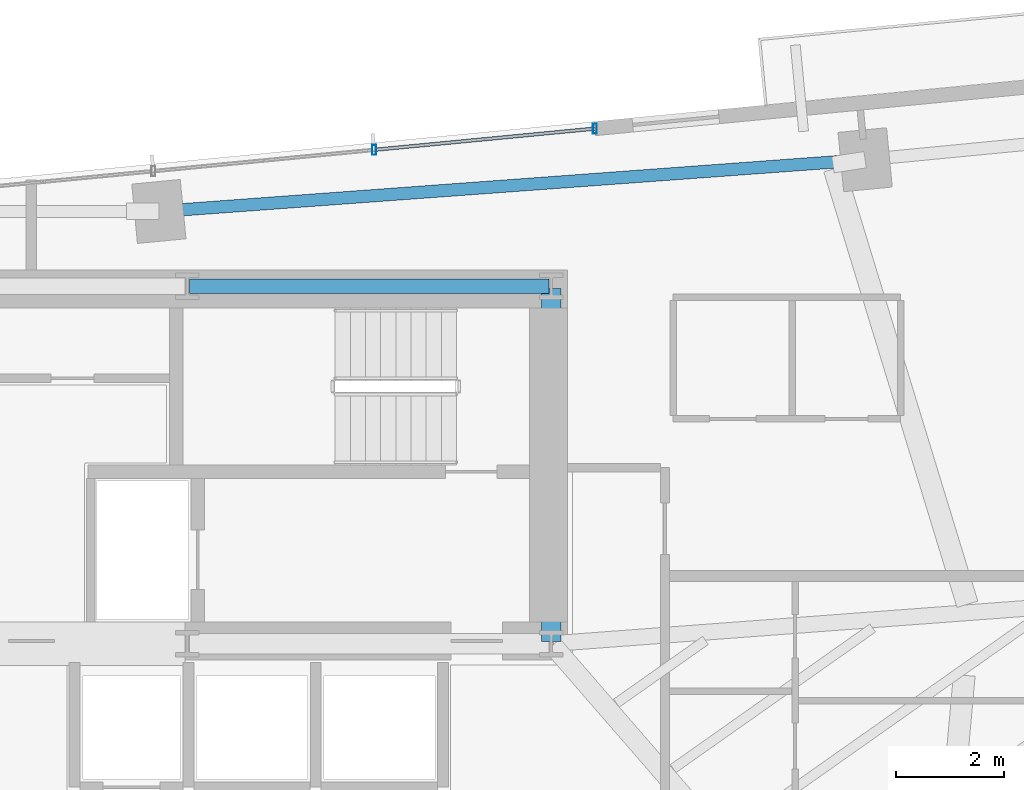
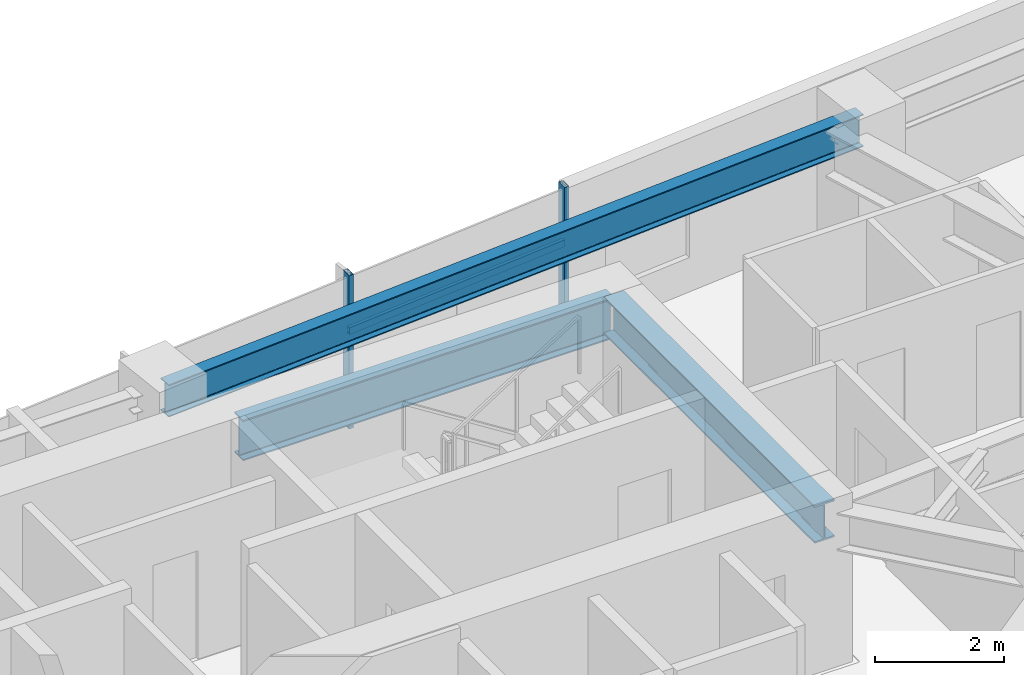
# One storey, part 17 of 27: 3 beams, 3 members, 1 element without a shape of its own.
"""IFC4 building model written with IfcOpenShell, lengths in metres."""

from ifc_helpers import new_model, si_unit, direction, frame, origin, origin_2d, place, context, subcontext, project, spatial, hollow_rectangle, i_section, extrude, source, transform, mapped, material, material_profile, profile_set, type_object, type_shapes, element, aggregate, save


model = new_model("IFC4")

# Units and contexts
model_context = context("Model", 3, precision=1e-05, world=origin(), true_north=direction((0.0, 1.0)))
body_context = subcontext(model_context, "Body", "Model", "MODEL_VIEW")
ifc_project = project(units=[si_unit("LENGTHUNIT", "METRE"), si_unit("AREAUNIT", "SQUARE_METRE"), si_unit("VOLUMEUNIT", "CUBIC_METRE"), si_unit("PLANEANGLEUNIT", "RADIAN"), si_unit("MASSUNIT", "GRAM", prefix="KILO")], contexts=[model_context])

# Site, building, storey
site_placement = place(None, origin())
site = spatial("IfcSite", under=ifc_project, at=site_placement, CompositionType="ELEMENT")
building_placement = place(site_placement, origin())
building = spatial("IfcBuilding", under=site, at=building_placement, Name="Astriad Promenade Condominiums", CompositionType="ELEMENT")
storey_placement = place(building_placement, frame((0.0, 0.0, 116.199951171875)))
storey = spatial("IfcBuildingStorey", under=building, at=storey_placement, Name="L33", CompositionType="ELEMENT", Elevation=116.199951171875)

# Beams
ifc_material_1 = material(Name="Steel ASTM A992 Grade 50", Category="steel")
ifc_material_profile_1 = material_profile(ifc_material_1, i_section(OverallWidth=0.267822265625, OverallDepth=0.76953125, WebThickness=0.015625, FlangeThickness=0.025390625, FilletRadius=0.021484375, at=origin_2d()), Name="W30X132")
ifc_profile_set_1 = profile_set([ifc_material_profile_1], Name="Steel ASTM A992 Grade 50")
beam_type_1 = type_object("IfcBeamType", Name="STEEL FLOOR GIRDER W30X132", PredefinedType="BEAM", material=ifc_profile_set_1)
shared_shape_1 = source(origin(), body_context, "Body", "SweptSolid", [
    extrude(i_section(OverallWidth=0.267822265625, OverallDepth=0.76953125, WebThickness=0.015625, FlangeThickness=0.025390625, FilletRadius=0.021484375, at=origin_2d()), origin(), (0.0, 0.0, 1.0), 6.64013671875),
])
type_shapes(beam_type_1, [shared_shape_1])
beam_1_placement = place(storey_placement, frame((38.919921875, 24.0, 2.51513671875), z_axis=(1.0, 0.0, 0.0), x_axis=(0.0, 1.0, 0.0)))
element("IfcBeam", 1, at=beam_1_placement, inside=storey, type_object=beam_type_1, Name="Core Ring Beam CG-N3-L33", PredefinedType="BEAM", context=body_context, shape_type="MappedRepresentation", body=[
    mapped(shared_shape_1, transform((0.0, 0.0, 0.0), scale=1.0)),
])
ifc_material_profile_2 = material_profile(ifc_material_1, i_section(OverallWidth=0.35791015625, OverallDepth=0.706298828125, WebThickness=0.018310546875, FlangeThickness=0.0302734375, FilletRadius=0.020263671875, at=origin_2d()), Name="W27X178")
ifc_profile_set_2 = profile_set([ifc_material_profile_2], Name="Steel ASTM A992 Grade 50")
beam_type_2 = type_object("IfcBeamType", Name="STEEL FLOOR GIRDER W27X178", PredefinedType="BEAM", material=ifc_profile_set_2)
shared_shape_2 = source(origin(), body_context, "Body", "SweptSolid", [
    extrude(i_section(OverallWidth=0.35791015625, OverallDepth=0.706298828125, WebThickness=0.018310546875, FlangeThickness=0.0302734375, FilletRadius=0.020263671875, at=origin_2d()), origin(), (0.0, 0.0, 1.0), 6.52001953125),
])
type_shapes(beam_type_2, [shared_shape_2])
beam_2_placement = place(storey_placement, frame((45.60009765625, 17.43994140625, 2.546875), z_axis=(0.0, 1.0, 0.0), x_axis=(-1.0, 0.0, 0.0)))
element("IfcBeam", 2, at=beam_2_placement, inside=storey, type_object=beam_type_2, Name="Core Ring Beam CG-E1-L33", PredefinedType="BEAM", context=body_context, shape_type="MappedRepresentation", body=[
    mapped(shared_shape_2, transform((0.0, 0.0, 0.0), scale=1.0)),
])
ifc_material_profile_3 = material_profile(ifc_material_1, i_section(OverallWidth=0.22900390625, OverallDepth=0.612060546875, WebThickness=0.011962890625, FlangeThickness=0.01953125, FilletRadius=0.017822265625, at=origin_2d()), Name="W24X84")
ifc_profile_set_3 = profile_set([ifc_material_profile_3], Name="Steel ASTM A992 Grade 50")
beam_type_3 = type_object("IfcBeamType", Name="STEEL SPANDREL BEAM W24X84", PredefinedType="SPANDREL", material=ifc_profile_set_3)
shared_shape_3 = source(origin(), body_context, "Body", "SweptSolid", [
    extrude(i_section(OverallWidth=0.22900390625, OverallDepth=0.612060546875, WebThickness=0.011962890625, FlangeThickness=0.01953125, FilletRadius=0.017822265625, at=origin_2d()), origin(), (0.0, 0.0, 1.0), 12.99462890625),
])
type_shapes(beam_type_3, [shared_shape_3])
beam_3_placement = place(storey_placement, frame((51.3544921875, 26.33203125, 2.593994140625), z_axis=(-0.997328518297, -0.073046742505, 0.0), x_axis=(0.073046742505, -0.997328518297, 0.0)))
element("IfcBeam", 3, at=beam_3_placement, inside=storey, type_object=beam_type_3, Name="Perimeter Spandrel Beam SP-N3-L33", PredefinedType="SPANDREL", context=body_context, shape_type="MappedRepresentation", body=[
    mapped(shared_shape_3, transform((0.0, 0.0, 0.0), scale=1.0)),
])

# Curtain wall, members
ifc_material_2 = material(Name="Anodised aluminium Black Dark Glass Unitised", Category="aluminium")
curtain_wall_type = type_object("IfcCurtainWallType", Name="CW-B2-DARK", PredefinedType="USERDEFINED", material=ifc_material_2)
curtain_wall_placement = place(storey_placement, origin())
curtain_wall = element("IfcCurtainWall", 4, at=curtain_wall_placement, inside=storey, type_object=curtain_wall_type, Name="CW-L33-N", ObjectType="UNITISED_CURTAIN_WALL", PredefinedType="USERDEFINED")
ifc_material_3 = material(Name="Anodised aluminium 6063-T6 Black", Category="aluminium")
ifc_material_profile_4 = material_profile(ifc_material_3, hollow_rectangle(XDim=0.06494140625, YDim=0.1298828125, WallThickness=0.00390625, at=origin_2d()), Name="ALU-TRN-65X130")
ifc_profile_set_4 = profile_set([ifc_material_profile_4], Name="Anodised aluminium 6063-T6 Black")
member_type_1 = type_object("IfcMemberType", Name="TRN-ALU-TRN-65X130", PredefinedType="USERDEFINED", material=ifc_profile_set_4)
shared_shape_4 = source(origin(), body_context, "Body", "SweptSolid", [
    extrude(hollow_rectangle(XDim=0.06494140625, YDim=0.1298828125, WallThickness=0.00390625, at=origin_2d()), origin(), (0.0, 0.0, 1.0), 4.094970703125),
])
type_shapes(member_type_1, [shared_shape_4])
member_1_placement = place(storey_placement, frame((42.330078125, 26.51708984375, 1.798095703125), z_axis=(0.995394161585, 0.09586690296, 0.0), x_axis=(-0.09586690296, 0.995394161585, 0.0)))
member_1 = element("IfcMember", 5, at=member_1_placement, type_object=member_type_1, Name="CW-L33-N-TRN-03-0", ObjectType="TRANSOM", PredefinedType="USERDEFINED", context=body_context, shape_type="MappedRepresentation", body=[
    mapped(shared_shape_4, transform((0.0, 0.0, 0.0), scale=1.0)),
])
ifc_material_profile_5 = material_profile(ifc_material_3, hollow_rectangle(XDim=0.074951171875, YDim=0.18505859375, WallThickness=0.00439453125, at=origin_2d()), Name="ALU-MUL-75X185")
ifc_profile_set_5 = profile_set([ifc_material_profile_5], Name="Anodised aluminium 6063-T6 Black")
member_type_2 = type_object("IfcMemberType", Name="MUL-ALU-MUL-75X185", PredefinedType="MULLION", material=ifc_profile_set_5)
shared_shape_5 = source(origin(), body_context, "Body", "SweptSolid", [
    extrude(hollow_rectangle(XDim=0.074951171875, YDim=0.18505859375, WallThickness=0.00439453125, at=origin_2d()), origin(), (0.0, 0.0, 1.0), 2.900146484375),
])
type_shapes(member_type_2, [shared_shape_5])
member_2_placement = place(storey_placement, frame((42.330078125, 26.51708984375, 0.0), z_axis=(0.0, 0.0, 1.0), x_axis=(1.0, 0.0, 0.0)))
member_2 = element("IfcMember", 6, at=member_2_placement, type_object=member_type_2, Name="CW-L33-N-MUL-03", PredefinedType="MULLION", context=body_context, shape_type="MappedRepresentation", body=[
    mapped(shared_shape_5, transform((0.0, 0.0, 0.0), scale=1.0)),
])
member_3_placement = place(storey_placement, frame((46.40625, 26.90966796875, 0.0), z_axis=(0.0, 0.0, 1.0), x_axis=(1.0, 0.0, 0.0)))
member_3 = element("IfcMember", 7, at=member_3_placement, type_object=member_type_2, Name="CW-L33-N-MUL-04", PredefinedType="MULLION", context=body_context, shape_type="MappedRepresentation", body=[
    mapped(shared_shape_5, transform((0.0, 0.0, 0.0), scale=1.0)),
])
aggregate(curtain_wall, [member_2, member_3, member_1])

save(model, "model.ifc")
